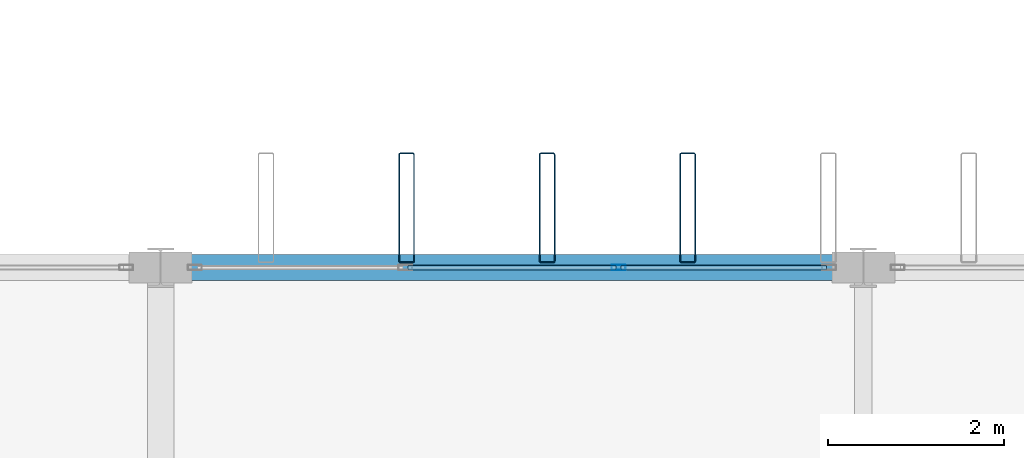
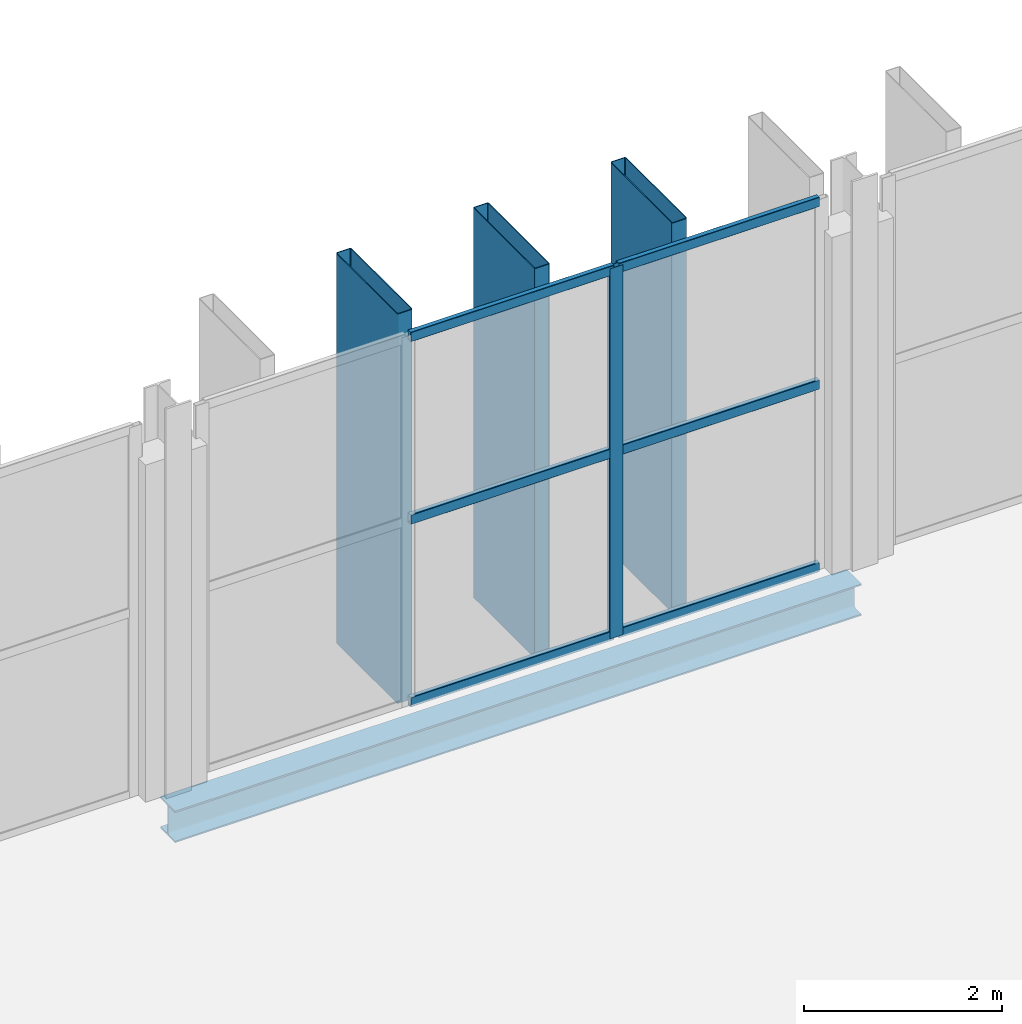
# One storey, part 51 of 120: 10 members, 1 beam, 1 element without a shape of its own.
"""IFC4 building model written with IfcOpenShell, lengths in metres."""

from ifc_helpers import new_model, si_unit, direction, frame, origin, origin_2d, place, context, subcontext, project, spatial, hollow_rectangle, i_section, extrude, material, layer, layer_set, material_profile, profile_set, type_object, element, aggregate, save


model = new_model("IFC4")

# Units and contexts
model_context = context("Model", 3, precision=1e-05, world=origin(), true_north=direction((0.0, 1.0)))
body_context = subcontext(model_context, "Body", "Model", "MODEL_VIEW")
ifc_project = project(units=[si_unit("LENGTHUNIT", "METRE"), si_unit("AREAUNIT", "SQUARE_METRE"), si_unit("VOLUMEUNIT", "CUBIC_METRE"), si_unit("PLANEANGLEUNIT", "RADIAN"), si_unit("MASSUNIT", "GRAM", prefix="KILO")], contexts=[model_context])

# Site, building, storey
site_placement = place(None, origin())
site = spatial("IfcSite", under=ifc_project, at=site_placement, CompositionType="ELEMENT")
building_placement = place(site_placement, origin())
building = spatial("IfcBuilding", under=site, at=building_placement, Name="Vekula Escarpment Museum", CompositionType="ELEMENT")
storey_placement = place(building_placement, frame((0.0, 0.0, 13.199951171875)))
storey = spatial("IfcBuildingStorey", under=building, at=storey_placement, Name="L03", CompositionType="ELEMENT", Elevation=13.199951171875)

# Beam
ifc_material_1 = material(Name="Steel S355", Category="steel")
ifc_material_profile_1 = material_profile(ifc_material_1, i_section(OverallWidth=0.300048828125, OverallDepth=0.389892578125, WebThickness=0.010986328125, FlangeThickness=0.01904296875, FilletRadius=0.027099609375, at=origin_2d()), Name="HEA 400")
ifc_profile_set_1 = profile_set([ifc_material_profile_1], Name="Steel S355")
beam_type = type_object("IfcBeamType", Name="BM-SPAN-HEA400", PredefinedType="SPANDREL", material=ifc_profile_set_1)
beam_placement = place(storey_placement, frame((110.0, 90.39990234375, -0.445068359375), z_axis=(1.0, 0.0, 0.0), x_axis=(0.0, 1.0, 0.0)))
element("IfcBeam", 1, at=beam_placement, inside=storey, type_object=beam_type, Name="Beam X L03 1421", PredefinedType="SPANDREL", context=body_context, shape_type="SweptSolid", body=[
    extrude(i_section(OverallWidth=0.300048828125, OverallDepth=0.389892578125, WebThickness=0.010986328125, FlangeThickness=0.01904296875, FilletRadius=0.027099609375, at=origin_2d()), origin(), (0.0, 0.0, 1.0), 8.0),
])

# Curtain wall, members
ifc_material_2 = material(Name="Aluminium thermally broken framing", Category="aluminium")
ifc_layer = layer(ifc_material_2, 0.199951171875)
ifc_layer_set = layer_set([ifc_layer], Name="Aluminium thermally broken framing")
curtain_wall_type = type_object("IfcCurtainWallType", Name="CW-SYS-04", PredefinedType="NOTDEFINED", material=ifc_layer_set)
curtain_wall_placement = place(storey_placement, origin())
curtain_wall = element("IfcCurtainWall", 2, at=curtain_wall_placement, inside=storey, type_object=curtain_wall_type, Name="Curtain Wall CW-L03-124", PredefinedType="NOTDEFINED")
ifc_material_3 = material(Name="Aluminium anodized mullion", Category="aluminium")
ifc_material_profile_2 = material_profile(ifc_material_3, hollow_rectangle(XDim=0.06005859375, YDim=0.159912109375, WallThickness=0.00390625, InnerFilletRadius=0.00390625, OuterFilletRadius=0.008056640625, at=origin_2d()), Name="ALU 160x60x4")
ifc_profile_set_2 = profile_set([ifc_material_profile_2], Name="Aluminium anodized mullion")
member_type_1 = type_object("IfcMemberType", Name="CW-MUL-160", PredefinedType="MULLION", material=ifc_profile_set_2)
member_1_placement = place(storey_placement, frame((115.21337890625, 90.39990234375, 0.0), z_axis=(0.0, 0.0, 1.0), x_axis=(0.0, -1.0, 0.0)))
member_1 = element("IfcMember", 3, at=member_1_placement, type_object=member_type_1, Name="CW-04 mullion 2", PredefinedType="MULLION", context=body_context, shape_type="SweptSolid", body=[
    extrude(hollow_rectangle(XDim=0.06005859375, YDim=0.159912109375, WallThickness=0.00390625, InnerFilletRadius=0.00390625, OuterFilletRadius=0.008056640625, at=origin_2d()), origin(), (0.0, 0.0, 1.0), 4.56005859375),
])
ifc_material_4 = material(Name="Aluminium anodized transom", Category="aluminium")
ifc_material_profile_3 = material_profile(ifc_material_4, hollow_rectangle(XDim=0.06005859375, YDim=0.1201171875, WallThickness=0.00390625, InnerFilletRadius=0.00390625, OuterFilletRadius=0.008056640625, at=origin_2d()), Name="ALU 120x60x4")
ifc_profile_set_3 = profile_set([ifc_material_profile_3], Name="Aluminium anodized transom")
member_type_2 = type_object("IfcMemberType", Name="CW-TRN-120", PredefinedType="USERDEFINED", material=ifc_profile_set_3)
member_2_placement = place(storey_placement, frame((117.580078125, 90.39990234375, 0.030029296875), z_axis=(-1.0, 0.0, 0.0), x_axis=(0.0, -1.0, 0.0)))
member_2 = element("IfcMember", 4, at=member_2_placement, type_object=member_type_2, Name="CW-04 transom 1.1", ObjectType="TRANSOM", PredefinedType="USERDEFINED", context=body_context, shape_type="SweptSolid", body=[
    extrude(hollow_rectangle(XDim=0.06005859375, YDim=0.1201171875, WallThickness=0.00390625, InnerFilletRadius=0.00390625, OuterFilletRadius=0.008056640625, at=origin_2d()), origin(), (0.0, 0.0, 1.0), 2.336669921875),
])
member_3_placement = place(storey_placement, frame((117.580078125, 90.39990234375, 2.280029296875), z_axis=(-1.0, 0.0, 0.0), x_axis=(0.0, -1.0, 0.0)))
member_3 = element("IfcMember", 5, at=member_3_placement, type_object=member_type_2, Name="CW-04 transom 1.2", ObjectType="TRANSOM", PredefinedType="USERDEFINED", context=body_context, shape_type="SweptSolid", body=[
    extrude(hollow_rectangle(XDim=0.06005859375, YDim=0.1201171875, WallThickness=0.00390625, InnerFilletRadius=0.00390625, OuterFilletRadius=0.008056640625, at=origin_2d()), origin(), (0.0, 0.0, 1.0), 2.336669921875),
])
member_4_placement = place(storey_placement, frame((117.580078125, 90.39990234375, 4.530029296875), z_axis=(-1.0, 0.0, 0.0), x_axis=(0.0, -1.0, 0.0)))
member_4 = element("IfcMember", 6, at=member_4_placement, type_object=member_type_2, Name="CW-04 transom 1.3", ObjectType="TRANSOM", PredefinedType="USERDEFINED", context=body_context, shape_type="SweptSolid", body=[
    extrude(hollow_rectangle(XDim=0.06005859375, YDim=0.1201171875, WallThickness=0.00390625, InnerFilletRadius=0.00390625, OuterFilletRadius=0.008056640625, at=origin_2d()), origin(), (0.0, 0.0, 1.0), 2.336669921875),
])
member_5_placement = place(storey_placement, frame((115.183349609375, 90.39990234375, 0.030029296875), z_axis=(-1.0, 0.0, 0.0), x_axis=(0.0, -1.0, 0.0)))
member_5 = element("IfcMember", 7, at=member_5_placement, type_object=member_type_2, Name="CW-04 transom 2.1", ObjectType="TRANSOM", PredefinedType="USERDEFINED", context=body_context, shape_type="SweptSolid", body=[
    extrude(hollow_rectangle(XDim=0.06005859375, YDim=0.1201171875, WallThickness=0.00390625, InnerFilletRadius=0.00390625, OuterFilletRadius=0.008056640625, at=origin_2d()), origin(), (0.0, 0.0, 1.0), 2.36669921875),
])
member_6_placement = place(storey_placement, frame((115.183349609375, 90.39990234375, 2.280029296875), z_axis=(-1.0, 0.0, 0.0), x_axis=(0.0, -1.0, 0.0)))
member_6 = element("IfcMember", 8, at=member_6_placement, type_object=member_type_2, Name="CW-04 transom 2.2", ObjectType="TRANSOM", PredefinedType="USERDEFINED", context=body_context, shape_type="SweptSolid", body=[
    extrude(hollow_rectangle(XDim=0.06005859375, YDim=0.1201171875, WallThickness=0.00390625, InnerFilletRadius=0.00390625, OuterFilletRadius=0.008056640625, at=origin_2d()), origin(), (0.0, 0.0, 1.0), 2.36669921875),
])
member_7_placement = place(storey_placement, frame((115.183349609375, 90.39990234375, 4.530029296875), z_axis=(-1.0, 0.0, 0.0), x_axis=(0.0, -1.0, 0.0)))
member_7 = element("IfcMember", 9, at=member_7_placement, type_object=member_type_2, Name="CW-04 transom 2.3", ObjectType="TRANSOM", PredefinedType="USERDEFINED", context=body_context, shape_type="SweptSolid", body=[
    extrude(hollow_rectangle(XDim=0.06005859375, YDim=0.1201171875, WallThickness=0.00390625, InnerFilletRadius=0.00390625, OuterFilletRadius=0.008056640625, at=origin_2d()), origin(), (0.0, 0.0, 1.0), 2.36669921875),
])
aggregate(curtain_wall, [member_1, member_2, member_3, member_4, member_5, member_6, member_7])

# Members
ifc_material_5 = material(Name="Steel S355 weathered bronze solar fin", Category="steel")
ifc_material_profile_4 = material_profile(ifc_material_5, hollow_rectangle(XDim=0.179931640625, YDim=1.25, WallThickness=0.010009765625, InnerFilletRadius=0.010009765625, OuterFilletRadius=0.02001953125, at=origin_2d()), Name="RHS 1250x180x10")
ifc_profile_set_4 = profile_set([ifc_material_profile_4], Name="Steel S355 weathered bronze solar fin")
member_type_3 = type_object("IfcMemberType", Name="MB-SOLAR-FIN", PredefinedType="USERDEFINED", material=ifc_profile_set_4)
for number, where, z_axis, x_axis, name in (
    (10, (112.800048828125, 91.080078125, 0.0), (0.0, 0.0, 1.0), (1.0, 0.0, 0.0), "Great Hall Vertical Solar Fin 0243"),
    (11, (114.39990234375, 91.080078125, 0.0), (0.0, 0.0, 1.0), (1.0, 0.0, 0.0), "Great Hall Vertical Solar Fin 0248"),
    (12, (116.0, 91.080078125, 0.0), (0.0, 0.0, 1.0), (1.0, 0.0, 0.0), "Great Hall Vertical Solar Fin 0253"),
):
    element("IfcMember", number, at=place(storey_placement, frame(where, z_axis=z_axis, x_axis=x_axis)), inside=storey, type_object=member_type_3, Name=name, ObjectType="SOLAR FIN", PredefinedType="USERDEFINED", context=body_context, shape_type="SweptSolid", body=[
        extrude(hollow_rectangle(XDim=0.179931640625, YDim=1.25, WallThickness=0.010009765625, InnerFilletRadius=0.010009765625, OuterFilletRadius=0.02001953125, at=origin_2d()), origin(), (0.0, 0.0, 1.0), 4.800048828125),
    ])

save(model, "model.ifc")
